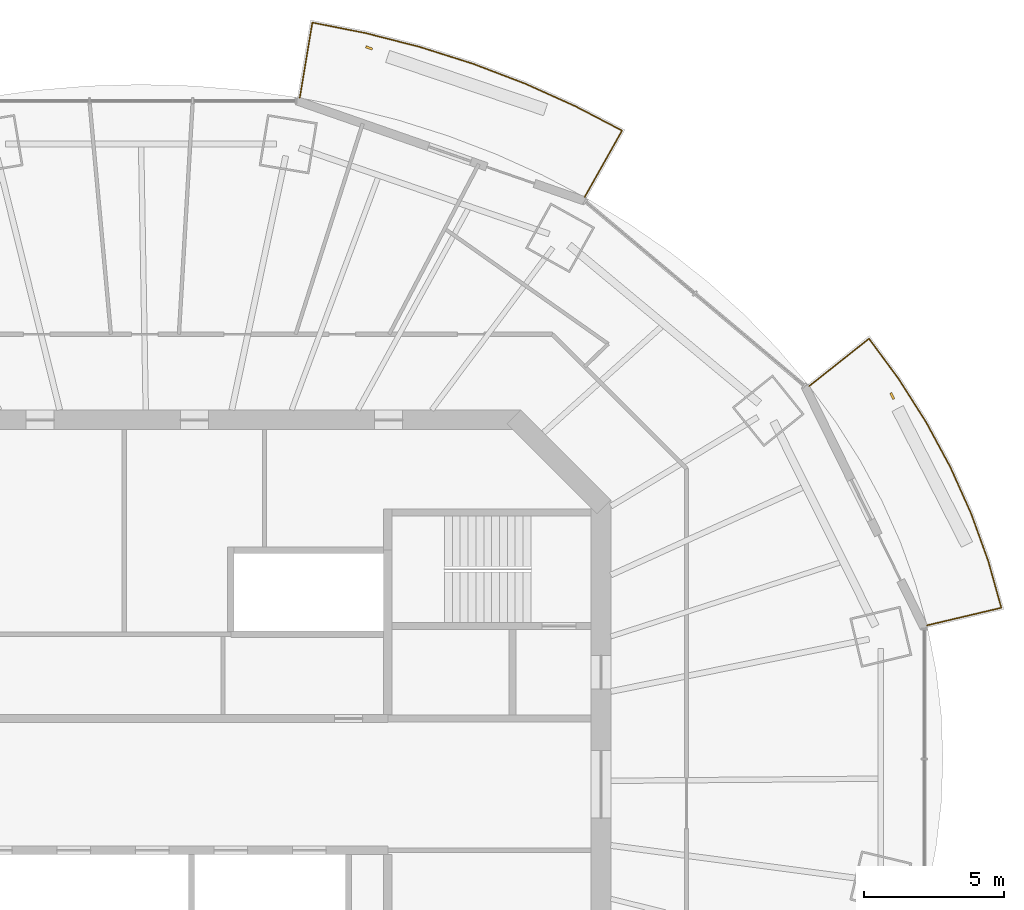
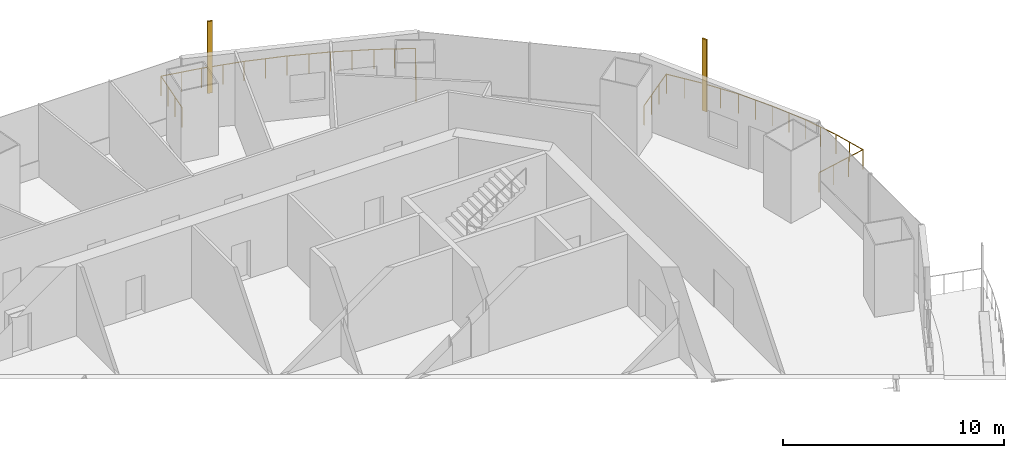
# One storey, part 15 of 16: 2 railings, 2 shading devices.
"""IFC4 building model written with IfcOpenShell, lengths in metres."""

from ifc_helpers import new_model, si_unit, direction, frame, origin, origin_2d, place, context, subcontext, project, spatial, rectangle, circle, extrude, material, material_profile, profile_set, type_object, element, save


model = new_model("IFC4")

# Units and contexts
model_context = context("Model", 3, precision=1e-05, world=origin(), true_north=direction((0.0, 1.0)))
body_context = subcontext(model_context, "Body", "Model", "MODEL_VIEW")
ifc_project = project(units=[si_unit("LENGTHUNIT", "METRE"), si_unit("AREAUNIT", "SQUARE_METRE"), si_unit("VOLUMEUNIT", "CUBIC_METRE"), si_unit("PLANEANGLEUNIT", "RADIAN"), si_unit("MASSUNIT", "GRAM", prefix="KILO")], contexts=[model_context])

# Site, building, storey
site_placement = place(None, origin())
site = spatial("IfcSite", under=ifc_project, at=site_placement, CompositionType="ELEMENT")
building_placement = place(site_placement, origin())
building = spatial("IfcBuilding", under=site, at=building_placement, Name="Marenthal Gate Tower", CompositionType="ELEMENT")
storey_placement = place(building_placement, frame((0.0, 0.0, 305.25)))
storey = spatial("IfcBuildingStorey", under=building, at=storey_placement, Name="L68", CompositionType="ELEMENT", Elevation=305.25)

# Railings
ifc_material_1 = material(Name="Stainless steel", Category="steel")
railing_type = type_object("IfcRailingType", Name="Balcony guard 1100", PredefinedType="GUARDRAIL", material=ifc_material_1)
railing_1_placement = place(storey_placement, frame((23.426513671875, 14.203369140625, 0.0)))
element("IfcRailing", 1, at=railing_1_placement, inside=storey, type_object=railing_type, Name="Balcony guard L68 bay 1", PredefinedType="GUARDRAIL", context=body_context, shape_type="SweptSolid", body=[
    extrude(circle(Radius=0.02392578125, at=origin_2d()), frame((0.0, 0.0, 1.076171875), z_axis=(0.783334446315, 0.62142618083, -0.014718933226), x_axis=(-0.621493506827, 0.783419313632, 0.0)), (0.0, 0.0, 1.0), 2.72021484375),
    extrude(circle(Radius=0.02392578125, at=origin_2d()), frame((2.130859375, 1.6904296875, 1.0361328125), z_axis=(0.59310034369, -0.80512855018, 0.0), x_axis=(0.80512855018, 0.59310034369, 0.0)), (0.0, 0.0, 1.0), 1.77197265625),
    extrude(circle(Radius=0.02392578125, at=origin_2d()), frame((3.181884765625, 0.263671875, 1.0361328125), z_axis=(0.536179368299, -0.844104072381, 0.0), x_axis=(0.844104072381, 0.536179368299, 0.0)), (0.0, 0.0, 1.0), 1.838623046875),
    extrude(circle(Radius=0.02392578125, at=origin_2d()), frame((4.167724609375, -1.288330078125, 1.0361328125), z_axis=(0.474067933151, -0.880488270653, 0.0), x_axis=(0.880488270653, 0.474067933151, 0.0)), (0.0, 0.0, 1.0), 1.826171875),
    extrude(circle(Radius=0.02392578125, at=origin_2d()), frame((5.033447265625, -2.896240234375, 1.0361328125), z_axis=(0.408333619035, -0.912832764292, 0.0), x_axis=(0.912832764292, 0.408333619035, 0.0)), (0.0, 0.0, 1.0), 1.815185546875),
    extrude(circle(Radius=0.02392578125, at=origin_2d()), frame((5.774658203125, -4.55322265625, 1.0361328125), z_axis=(0.33909288178, -0.940752899292, 0.0), x_axis=(0.940752899292, 0.33909288178, 0.0)), (0.0, 0.0, 1.0), 1.8056640625),
    extrude(circle(Radius=0.02392578125, at=origin_2d()), frame((6.386962890625, -6.251953125, 1.0361328125), z_axis=(0.268728447288, -0.963215978698, 0.0), x_axis=(0.963215978698, 0.268728447288, 0.0)), (0.0, 0.0, 1.0), 1.718017578125),
    extrude(circle(Radius=0.02392578125, at=origin_2d()), frame((6.8486328125, -7.90673828125, 1.0361328125), z_axis=(-0.973112411133, -0.229859886083, 0.014719649089), x_axis=(0.229884791779, -0.973217849461, 0.0)), (0.0, 0.0, 1.0), 2.72021484375),
    extrude(circle(Radius=0.02099609375, at=origin_2d()), origin(), (0.0, 0.0, 1.0), 1.052001953125),
    extrude(circle(Radius=0.02099609375, at=origin_2d()), frame((0.710205078125, 0.5634765625, -0.013427734375)), (0.0, 0.0, 1.0), 1.052001953125),
    extrude(circle(Radius=0.02099609375, at=origin_2d()), frame((1.420654296875, 1.126953125, -0.026611328125)), (0.0, 0.0, 1.0), 1.052001953125),
    extrude(circle(Radius=0.02099609375, at=origin_2d()), frame((2.130859375, 1.6904296875, -0.0400390625)), (0.0, 0.0, 1.0), 1.052001953125),
    extrude(circle(Radius=0.02099609375, at=origin_2d()), frame((2.65625, 0.97705078125, -0.0400390625)), (0.0, 0.0, 1.0), 1.052001953125),
    extrude(circle(Radius=0.02099609375, at=origin_2d()), frame((3.181884765625, 0.263671875, -0.0400390625)), (0.0, 0.0, 1.0), 1.052001953125),
    extrude(circle(Radius=0.02099609375, at=origin_2d()), frame((3.6748046875, -0.51220703125, -0.0400390625)), (0.0, 0.0, 1.0), 1.052001953125),
    extrude(circle(Radius=0.02099609375, at=origin_2d()), frame((4.167724609375, -1.288330078125, -0.0400390625)), (0.0, 0.0, 1.0), 1.052001953125),
    extrude(circle(Radius=0.02099609375, at=origin_2d()), frame((4.6005859375, -2.09228515625, -0.0400390625)), (0.0, 0.0, 1.0), 1.052001953125),
    extrude(circle(Radius=0.02099609375, at=origin_2d()), frame((5.033447265625, -2.896240234375, -0.0400390625)), (0.0, 0.0, 1.0), 1.052001953125),
    extrude(circle(Radius=0.02099609375, at=origin_2d()), frame((5.404052734375, -3.724609375, -0.0400390625)), (0.0, 0.0, 1.0), 1.052001953125),
    extrude(circle(Radius=0.02099609375, at=origin_2d()), frame((5.774658203125, -4.55322265625, -0.0400390625)), (0.0, 0.0, 1.0), 1.052001953125),
    extrude(circle(Radius=0.02099609375, at=origin_2d()), frame((6.080810546875, -5.402587890625, -0.0400390625)), (0.0, 0.0, 1.0), 1.052001953125),
    extrude(circle(Radius=0.02099609375, at=origin_2d()), frame((6.386962890625, -6.251953125, -0.0400390625)), (0.0, 0.0, 1.0), 1.052001953125),
    extrude(circle(Radius=0.02099609375, at=origin_2d()), frame((6.61767578125, -7.079345703125, -0.0400390625)), (0.0, 0.0, 1.0), 1.052001953125),
    extrude(circle(Radius=0.02099609375, at=origin_2d()), frame((6.8486328125, -7.90673828125, -0.0400390625)), (0.0, 0.0, 1.0), 1.052001953125),
    extrude(circle(Radius=0.02099609375, at=origin_2d()), frame((5.96630859375, -8.115234375, -0.026611328125)), (0.0, 0.0, 1.0), 1.052001953125),
    extrude(circle(Radius=0.02099609375, at=origin_2d()), frame((5.083984375, -8.323486328125, -0.013427734375)), (0.0, 0.0, 1.0), 1.052001953125),
    extrude(circle(Radius=0.02099609375, at=origin_2d()), frame((4.20166015625, -8.531982421875, 0.0)), (0.0, 0.0, 1.0), 1.052001953125),
])
railing_2_placement = place(storey_placement, frame((5.2578125, 24.482421875, 0.0)))
element("IfcRailing", 2, at=railing_2_placement, inside=storey, type_object=railing_type, Name="Balcony guard L68 bay 3", PredefinedType="GUARDRAIL", context=body_context, shape_type="SweptSolid", body=[
    extrude(circle(Radius=0.02392578125, at=origin_2d()), frame((0.0, 0.0, 1.076171875), z_axis=(0.16513793129, 0.986160646201, -0.014718815615), x_axis=(-0.986267486225, 0.165155822229, 0.0)), (0.0, 0.0, 1.0), 2.72021484375),
    extrude(circle(Radius=0.02392578125, at=origin_2d()), frame((0.44921875, 2.6826171875, 1.0361328125), z_axis=(0.98107877251, -0.193608992898, 0.0), x_axis=(0.193608992898, 0.98107877251, 0.0)), (0.0, 0.0, 1.0), 1.929443359375),
    extrude(circle(Radius=0.02392578125, at=origin_2d()), frame((2.342041015625, 2.30908203125, 1.0361328125), z_axis=(0.968932635782, -0.24732478104, 0.0), x_axis=(0.24732478104, 0.968932635782, 0.0)), (0.0, 0.0, 1.0), 2.001953125),
    extrude(circle(Radius=0.02392578125, at=origin_2d()), frame((4.28173828125, 1.81396484375, 1.0361328125), z_axis=(0.953365734412, -0.301817455508, 0.0), x_axis=(0.301817455508, 0.953365734412, 0.0)), (0.0, 0.0, 1.0), 1.992431640625),
    extrude(circle(Radius=0.02392578125, at=origin_2d()), frame((6.18115234375, 1.212646484375, 1.0361328125), z_axis=(0.934386218754, -0.356261693426, 0.0), x_axis=(0.356261693426, 0.934386218754, 0.0)), (0.0, 0.0, 1.0), 1.98193359375),
    extrude(circle(Radius=0.02392578125, at=origin_2d()), frame((8.032958984375, 0.506591796875, 1.0361328125), z_axis=(0.911993375146, -0.410204928894, 0.0), x_axis=(0.410204928894, 0.911993375146, 0.0)), (0.0, 0.0, 1.0), 1.969970703125),
    extrude(circle(Radius=0.02392578125, at=origin_2d()), frame((9.82958984375, -0.301513671875, 1.0361328125), z_axis=(0.886672985155, -0.462397034372, 0.0), x_axis=(0.462397034372, 0.886672985155, 0.0)), (0.0, 0.0, 1.0), 1.87646484375),
    extrude(circle(Radius=0.02392578125, at=origin_2d()), frame((11.493408203125, -1.169189453125, 1.0361328125), z_axis=(-0.490284829029, -0.87143798094, 0.01471841698), x_axis=(0.871532386867, -0.490337943301, 0.0)), (0.0, 0.0, 1.0), 2.720458984375),
    extrude(circle(Radius=0.02099609375, at=origin_2d()), origin(), (0.0, 0.0, 1.0), 1.052001953125),
    extrude(circle(Radius=0.02099609375, at=origin_2d()), frame((0.149658203125, 0.894287109375, -0.013427734375)), (0.0, 0.0, 1.0), 1.052001953125),
    extrude(circle(Radius=0.02099609375, at=origin_2d()), frame((0.299560546875, 1.788330078125, -0.026611328125)), (0.0, 0.0, 1.0), 1.052001953125),
    extrude(circle(Radius=0.02099609375, at=origin_2d()), frame((0.44921875, 2.6826171875, -0.0400390625)), (0.0, 0.0, 1.0), 1.052001953125),
    extrude(circle(Radius=0.02099609375, at=origin_2d()), frame((1.3955078125, 2.495849609375, -0.0400390625)), (0.0, 0.0, 1.0), 1.052001953125),
    extrude(circle(Radius=0.02099609375, at=origin_2d()), frame((2.342041015625, 2.30908203125, -0.0400390625)), (0.0, 0.0, 1.0), 1.052001953125),
    extrude(circle(Radius=0.02099609375, at=origin_2d()), frame((3.31201171875, 2.0615234375, -0.0400390625)), (0.0, 0.0, 1.0), 1.052001953125),
    extrude(circle(Radius=0.02099609375, at=origin_2d()), frame((4.28173828125, 1.81396484375, -0.0400390625)), (0.0, 0.0, 1.0), 1.052001953125),
    extrude(circle(Radius=0.02099609375, at=origin_2d()), frame((5.2314453125, 1.51318359375, -0.0400390625)), (0.0, 0.0, 1.0), 1.052001953125),
    extrude(circle(Radius=0.02099609375, at=origin_2d()), frame((6.18115234375, 1.212646484375, -0.0400390625)), (0.0, 0.0, 1.0), 1.052001953125),
    extrude(circle(Radius=0.02099609375, at=origin_2d()), frame((7.10693359375, 0.859619140625, -0.0400390625)), (0.0, 0.0, 1.0), 1.052001953125),
    extrude(circle(Radius=0.02099609375, at=origin_2d()), frame((8.032958984375, 0.506591796875, -0.0400390625)), (0.0, 0.0, 1.0), 1.052001953125),
    extrude(circle(Radius=0.02099609375, at=origin_2d()), frame((8.93115234375, 0.1025390625, -0.0400390625)), (0.0, 0.0, 1.0), 1.052001953125),
    extrude(circle(Radius=0.02099609375, at=origin_2d()), frame((9.82958984375, -0.301513671875, -0.0400390625)), (0.0, 0.0, 1.0), 1.052001953125),
    extrude(circle(Radius=0.02099609375, at=origin_2d()), frame((10.66162109375, -0.7353515625, -0.0400390625)), (0.0, 0.0, 1.0), 1.052001953125),
    extrude(circle(Radius=0.02099609375, at=origin_2d()), frame((11.493408203125, -1.169189453125, -0.0400390625)), (0.0, 0.0, 1.0), 1.052001953125),
    extrude(circle(Radius=0.02099609375, at=origin_2d()), frame((11.048828125, -1.95947265625, -0.026611328125)), (0.0, 0.0, 1.0), 1.052001953125),
    extrude(circle(Radius=0.02099609375, at=origin_2d()), frame((10.604248046875, -2.74951171875, -0.013427734375)), (0.0, 0.0, 1.0), 1.052001953125),
    extrude(circle(Radius=0.02099609375, at=origin_2d()), frame((10.15966796875, -3.539794921875, 0.0)), (0.0, 0.0, 1.0), 1.052001953125),
])

# Shading devices
ifc_material_2 = material(Name="Terracotta", Category="masonry")
ifc_material_profile = material_profile(ifc_material_2, rectangle(XDim=0.25, YDim=0.080078125, at=origin_2d()), Name="Terracotta baguette 250x80")
ifc_profile_set = profile_set([ifc_material_profile], Name="Terracotta")
shading_device_type = type_object("IfcShadingDeviceType", Name="Terracotta BAGUETTE SCREEN 250x80", PredefinedType="USERDEFINED", material=ifc_profile_set)
for number, where, z_axis, x_axis, name in (
    (3, (26.38525390625, 13.8505859375, -0.0400390625), (0.0, 0.0, 1.0), (-0.441623511691, 0.897200464735, 0.0), "Terracotta BAGUETTE L68 bay 1R"),
    (4, (7.729736328125, 26.2626953125, -0.0400390625), (0.0, 0.0, 1.0), (-0.944279584145, 0.329144446962, 0.0), "Terracotta BAGUETTE L68 bay 3R"),
):
    element("IfcShadingDevice", number, at=place(storey_placement, frame(where, z_axis=z_axis, x_axis=x_axis)), inside=storey, type_object=shading_device_type, Name=name, ObjectType="BAGUETTE SCREEN", PredefinedType="USERDEFINED", context=body_context, shape_type="SweptSolid", body=[
        extrude(rectangle(XDim=0.25, YDim=0.080078125, at=origin_2d()), origin(), (0.0, 0.0, 1.0), 3.969970703125),
    ])

save(model, "model.ifc")
